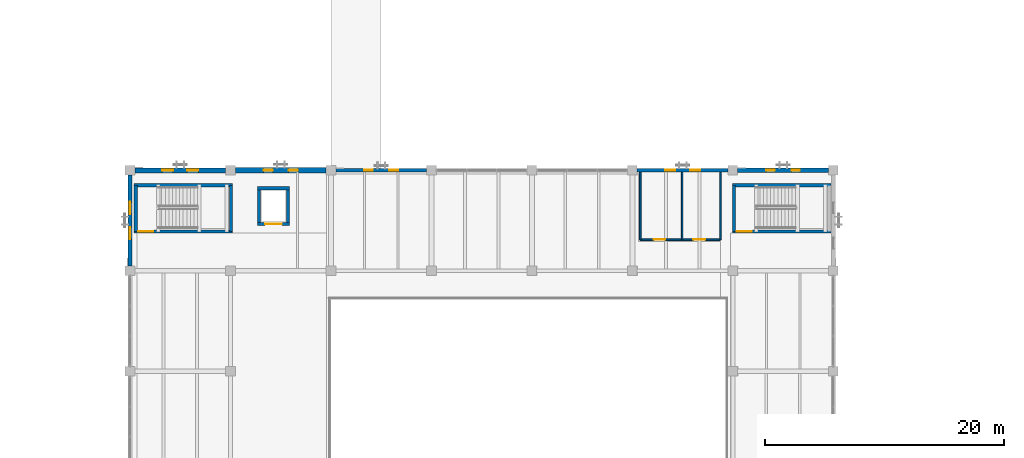
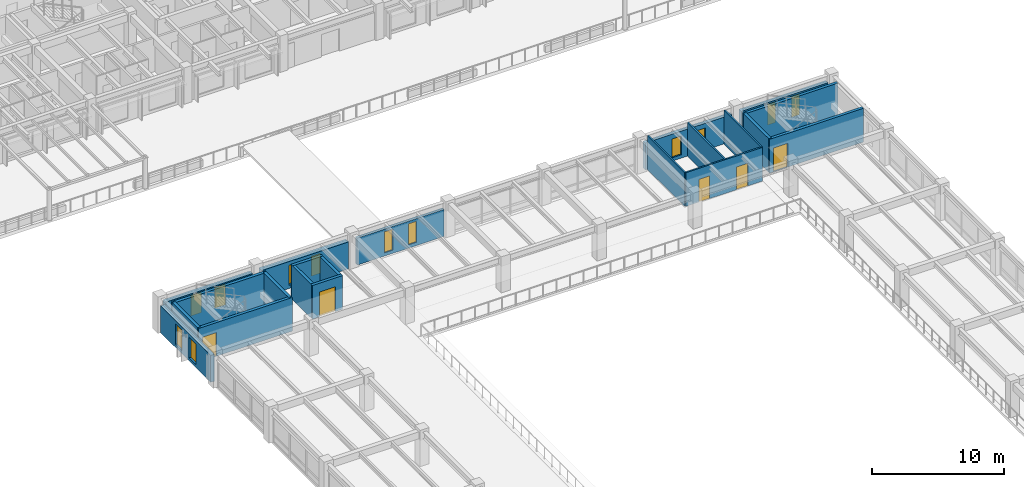
# One storey, part 84 of 111: 21 walls, 12 windows, 5 doors, 17 openings.
"""IFC4 building model written with IfcOpenShell, lengths in metres."""

from ifc_helpers import new_model, si_unit, direction, frame, frame_2d, origin, place, context, subcontext, project, spatial, rectangle, extrude, material, layer, layer_set, type_object, element, fill, save


model = new_model("IFC4")

# Units and contexts
model_context = context("Model", 3, precision=1e-05, world=origin(), true_north=direction((0.0, 1.0)))
body_context = subcontext(model_context, "Body", "Model", "MODEL_VIEW")
ifc_project = project(units=[si_unit("LENGTHUNIT", "METRE"), si_unit("AREAUNIT", "SQUARE_METRE"), si_unit("VOLUMEUNIT", "CUBIC_METRE"), si_unit("PLANEANGLEUNIT", "RADIAN"), si_unit("MASSUNIT", "GRAM", prefix="KILO")], contexts=[model_context])

# Site, building, storey
site_placement = place(None, origin())
site = spatial("IfcSite", under=ifc_project, at=site_placement, CompositionType="ELEMENT")
building_placement = place(site_placement, origin())
building = spatial("IfcBuilding", under=site, at=building_placement, Name="Cumbredor Promenade Congress Hotel", CompositionType="ELEMENT")
storey_placement = place(building_placement, frame((0.0, 0.0, 15.1201171875)))
storey = spatial("IfcBuildingStorey", under=building, at=storey_placement, Name="L04", CompositionType="ELEMENT", Elevation=15.1201171875)

# Wall, openings, windows
ifc_material_1 = material(Name="Concrete C40/50", Category="concrete")
ifc_layer_1 = layer(ifc_material_1, 0.260009765625, Name="Concrete C40/50", Category="concrete")
ifc_layer_set_1 = layer_set([ifc_layer_1], Name="Concrete C40/50")
wall_type_1 = type_object("IfcWallType", Name="WL-EXT-260", PredefinedType="SOLIDWALL", material=ifc_layer_set_1)
wall_1_placement = place(storey_placement, frame((25.60107421875, 67.199951171875, 0.0), z_axis=(0.0, 0.0, 1.0), x_axis=(1.0, 0.0, 0.0)))
wall_1 = element("IfcWall", 1, at=wall_1_placement, inside=storey, type_object=wall_type_1, Name="L04 Plenary Congress Hall North Envelope Wall 3", PredefinedType="SOLIDWALL", context=body_context, shape_type="SweptSolid", body=[
    extrude(rectangle(XDim=7.597900390625, YDim=0.260009765625, at=frame_2d((3.798828125, 0.0))), origin(), (0.0, 0.0, 1.0), 2.493896484375),
])
opening_1_placement = place(wall_1_placement, frame((2.388916015625, 0.0, 0.300048828125)))
opening_1 = element("IfcOpeningElement", 2, at=opening_1_placement, cuts=wall_1, Name="Opening WN-49", PredefinedType="OPENING", context=body_context, shape_type="SweptSolid", body=[
    extrude(rectangle(XDim=0.719970703125, YDim=1.949951171875, at=frame_2d((0.35986328125, 0.97509765625))), frame((0.0, 0.14013671875, 0.0), z_axis=(0.0, -1.0, 0.0), x_axis=(1.0, 0.0, 0.0)), (0.0, 0.0, 1.0), 0.280029296875),
])
opening_2_placement = place(wall_1_placement, frame((4.489013671875, 0.0, 0.300048828125)))
opening_2 = element("IfcOpeningElement", 3, at=opening_2_placement, cuts=wall_1, Name="Opening WN-49", PredefinedType="OPENING", context=body_context, shape_type="SweptSolid", body=[
    extrude(rectangle(XDim=0.719970703125, YDim=1.949951171875, at=frame_2d((0.35986328125, 0.97509765625))), frame((0.0, 0.14013671875, 0.0), z_axis=(0.0, -1.0, 0.0), x_axis=(1.0, 0.0, 0.0)), (0.0, 0.0, 1.0), 0.280029296875),
])
ifc_material_2 = material(Name="Thermally broken anodized aluminium and low-E glass", Category="aluminium")
window_type_1 = type_object("IfcWindowType", Name="Vertical Slot Window WN-49 720x1950", PartitioningType="SINGLE_PANEL", PredefinedType="WINDOW", material=ifc_material_2)
window_1_placement = place(opening_1_placement, origin())
window_1 = element("IfcWindow", 4, at=window_1_placement, inside=storey, type_object=window_type_1, Name="L04 Vertical Slot Window 0458", OverallHeight=1.949951171875, OverallWidth=0.719970703125, PartitioningType="SINGLE_PANEL", PredefinedType="WINDOW", context=body_context, shape_type="SweptSolid", body=[
    extrude(rectangle(XDim=0.719970703125, YDim=1.949951171875, at=frame_2d((0.35986328125, 0.97509765625))), frame((0.0, 0.030029296875, 0.0), z_axis=(0.0, -1.0, 0.0), x_axis=(1.0, 0.0, 0.0)), (0.0, 0.0, 1.0), 0.06005859375),
])
fill(opening_1, window_1)
window_2_placement = place(opening_2_placement, origin())
window_2 = element("IfcWindow", 5, at=window_2_placement, inside=storey, type_object=window_type_1, Name="L04 Vertical Slot Window 0459", OverallHeight=1.949951171875, OverallWidth=0.719970703125, PartitioningType="SINGLE_PANEL", PredefinedType="WINDOW", context=body_context, shape_type="SweptSolid", body=[
    extrude(rectangle(XDim=0.719970703125, YDim=1.949951171875, at=frame_2d((0.35986328125, 0.97509765625))), frame((0.0, 0.030029296875, 0.0), z_axis=(0.0, -1.0, 0.0), x_axis=(1.0, 0.0, 0.0)), (0.0, 0.0, 1.0), 0.06005859375),
])
fill(opening_2, window_2)

ifc_layer_2 = layer(ifc_material_1, 0.324951171875, Name="Concrete C40/50", Category="concrete")
ifc_layer_set_2 = layer_set([ifc_layer_2], Name="Concrete C40/50")
wall_type_2 = type_object("IfcWallType", Name="WL-EXT-325", PredefinedType="SOLIDWALL", material=ifc_layer_set_2)
wall_2_placement = place(storey_placement, frame((50.801025390625, 67.199951171875, 0.0), z_axis=(0.0, 0.0, 1.0), x_axis=(1.0, 0.0, 0.0)))
wall_2 = element("IfcWall", 6, at=wall_2_placement, inside=storey, type_object=wall_type_2, Name="L04 Plenary Congress Hall North Envelope Wall 6", PredefinedType="SOLIDWALL", context=body_context, shape_type="SweptSolid", body=[
    extrude(rectangle(XDim=7.597900390625, YDim=0.324951171875, at=frame_2d((3.798828125, 0.0))), origin(), (0.0, 0.0, 1.0), 2.493896484375),
])
opening_3_placement = place(wall_2_placement, frame((2.3291015625, 0.0, 0.300048828125)))
opening_3 = element("IfcOpeningElement", 7, at=opening_3_placement, cuts=wall_2, Name="Opening WN-62", PredefinedType="OPENING", context=body_context, shape_type="SweptSolid", body=[
    extrude(rectangle(XDim=0.840087890625, YDim=1.75, at=frame_2d((0.419921875, 0.875))), frame((0.0, 0.17236328125, 0.0), z_axis=(0.0, -1.0, 0.0), x_axis=(1.0, 0.0, 0.0)), (0.0, 0.0, 1.0), 0.344970703125),
])
opening_4_placement = place(wall_2_placement, frame((4.428955078125, 0.0, 0.300048828125)))
opening_4 = element("IfcOpeningElement", 8, at=opening_4_placement, cuts=wall_2, Name="Opening WN-62", PredefinedType="OPENING", context=body_context, shape_type="SweptSolid", body=[
    extrude(rectangle(XDim=0.840087890625, YDim=1.75, at=frame_2d((0.419921875, 0.875))), frame((0.0, 0.17236328125, 0.0), z_axis=(0.0, -1.0, 0.0), x_axis=(1.0, 0.0, 0.0)), (0.0, 0.0, 1.0), 0.344970703125),
])
window_type_2 = type_object("IfcWindowType", Name="Vertical Slot Window WN-62 840x1750", PartitioningType="SINGLE_PANEL", PredefinedType="WINDOW", material=ifc_material_2)
window_3_placement = place(opening_3_placement, origin())
window_3 = element("IfcWindow", 9, at=window_3_placement, inside=storey, type_object=window_type_2, Name="L04 Vertical Slot Window 0460", OverallHeight=1.75, OverallWidth=0.840087890625, PartitioningType="SINGLE_PANEL", PredefinedType="WINDOW", context=body_context, shape_type="SweptSolid", body=[
    extrude(rectangle(XDim=0.840087890625, YDim=1.75, at=frame_2d((0.419921875, 0.875))), frame((0.0, 0.030029296875, 0.0), z_axis=(0.0, -1.0, 0.0), x_axis=(1.0, 0.0, 0.0)), (0.0, 0.0, 1.0), 0.06005859375),
])
fill(opening_3, window_3)
window_4_placement = place(opening_4_placement, origin())
window_4 = element("IfcWindow", 10, at=window_4_placement, inside=storey, type_object=window_type_2, Name="L04 Vertical Slot Window 0461", OverallHeight=1.75, OverallWidth=0.840087890625, PartitioningType="SINGLE_PANEL", PredefinedType="WINDOW", context=body_context, shape_type="SweptSolid", body=[
    extrude(rectangle(XDim=0.840087890625, YDim=1.75, at=frame_2d((0.419921875, 0.875))), frame((0.0, 0.030029296875, 0.0), z_axis=(0.0, -1.0, 0.0), x_axis=(1.0, 0.0, 0.0)), (0.0, 0.0, 1.0), 0.06005859375),
])
fill(opening_4, window_4)

ifc_layer_3 = layer(ifc_material_1, 0.35009765625, Name="Concrete C40/50", Category="concrete")
ifc_layer_set_3 = layer_set([ifc_layer_3], Name="Concrete C40/50")
wall_type_3 = type_object("IfcWallType", Name="WL-EXT-350", PredefinedType="SOLIDWALL", material=ifc_layer_set_3)
wall_3_placement = place(storey_placement, frame((59.200927734375, 67.199951171875, 0.0), z_axis=(0.0, 0.0, 1.0), x_axis=(1.0, 0.0, 0.0)))
wall_3 = element("IfcWall", 11, at=wall_3_placement, inside=storey, type_object=wall_type_3, Name="L04 Plenary Congress Hall North Envelope Wall 7", PredefinedType="SOLIDWALL", context=body_context, shape_type="SweptSolid", body=[
    extrude(rectangle(XDim=7.59814453125, YDim=0.35009765625, at=frame_2d((3.799072265625, 0.0))), origin(), (0.0, 0.0, 1.0), 2.493896484375),
])
opening_5_placement = place(wall_3_placement, frame((2.39892578125, 0.0, 0.300048828125)))
opening_5 = element("IfcOpeningElement", 12, at=opening_5_placement, cuts=wall_3, Name="Opening WN-65", PredefinedType="OPENING", context=body_context, shape_type="SweptSolid", body=[
    extrude(rectangle(XDim=0.699951171875, YDim=1.89990234375, at=frame_2d((0.35009765625, 0.949951171875))), frame((0.0, 0.18505859375, 0.0), z_axis=(0.0, -1.0, 0.0), x_axis=(1.0, 0.0, 0.0)), (0.0, 0.0, 1.0), 0.3701171875),
])
opening_6_placement = place(wall_3_placement, frame((4.4990234375, 0.0, 0.300048828125)))
opening_6 = element("IfcOpeningElement", 13, at=opening_6_placement, cuts=wall_3, Name="Opening WN-65", PredefinedType="OPENING", context=body_context, shape_type="SweptSolid", body=[
    extrude(rectangle(XDim=0.699951171875, YDim=1.89990234375, at=frame_2d((0.35009765625, 0.949951171875))), frame((0.0, 0.18505859375, 0.0), z_axis=(0.0, -1.0, 0.0), x_axis=(1.0, 0.0, 0.0)), (0.0, 0.0, 1.0), 0.3701171875),
])
window_type_3 = type_object("IfcWindowType", Name="Vertical Slot Window WN-65 700x1900", PartitioningType="SINGLE_PANEL", PredefinedType="WINDOW", material=ifc_material_2)
window_5_placement = place(opening_5_placement, origin())
window_5 = element("IfcWindow", 14, at=window_5_placement, inside=storey, type_object=window_type_3, Name="L04 Vertical Slot Window 0462", OverallHeight=1.89990234375, OverallWidth=0.699951171875, PartitioningType="SINGLE_PANEL", PredefinedType="WINDOW", context=body_context, shape_type="SweptSolid", body=[
    extrude(rectangle(XDim=0.699951171875, YDim=1.89990234375, at=frame_2d((0.35009765625, 0.949951171875))), frame((0.0, 0.030029296875, 0.0), z_axis=(0.0, -1.0, 0.0), x_axis=(1.0, 0.0, 0.0)), (0.0, 0.0, 1.0), 0.06005859375),
])
fill(opening_5, window_5)
window_6_placement = place(opening_6_placement, origin())
window_6 = element("IfcWindow", 15, at=window_6_placement, inside=storey, type_object=window_type_3, Name="L04 Vertical Slot Window 0463", OverallHeight=1.89990234375, OverallWidth=0.699951171875, PartitioningType="SINGLE_PANEL", PredefinedType="WINDOW", context=body_context, shape_type="SweptSolid", body=[
    extrude(rectangle(XDim=0.699951171875, YDim=1.89990234375, at=frame_2d((0.35009765625, 0.949951171875))), frame((0.0, 0.030029296875, 0.0), z_axis=(0.0, -1.0, 0.0), x_axis=(1.0, 0.0, 0.0)), (0.0, 0.0, 1.0), 0.06005859375),
])
fill(opening_6, window_6)

wall_4_placement = place(storey_placement, frame((8.39990234375, 59.200927734375, 0.0), z_axis=(0.0, 0.0, 1.0), x_axis=(0.0, 1.0, 0.0)))
wall_4 = element("IfcWall", 16, at=wall_4_placement, inside=storey, type_object=wall_type_3, Name="L04 Plenary Congress Hall West Envelope Wall 7", PredefinedType="SOLIDWALL", context=body_context, shape_type="SweptSolid", body=[
    extrude(rectangle(XDim=7.59814453125, YDim=0.35009765625, at=frame_2d((3.799072265625, 0.0))), origin(), (0.0, 0.0, 1.0), 2.493896484375),
])
opening_7_placement = place(wall_4_placement, frame((2.239013671875, 0.0, 0.300048828125)))
opening_7 = element("IfcOpeningElement", 17, at=opening_7_placement, cuts=wall_4, Name="Opening WN-69", PredefinedType="OPENING", context=body_context, shape_type="SweptSolid", body=[
    extrude(rectangle(XDim=1.02001953125, YDim=1.89990234375, at=frame_2d((0.510009765625, 0.949951171875))), frame((0.0, 0.18505859375, 0.0), z_axis=(0.0, -1.0, 0.0), x_axis=(1.0, 0.0, 0.0)), (0.0, 0.0, 1.0), 0.3701171875),
])
opening_8_placement = place(wall_4_placement, frame((4.339111328125, 0.0, 0.300048828125)))
opening_8 = element("IfcOpeningElement", 18, at=opening_8_placement, cuts=wall_4, Name="Opening WN-69", PredefinedType="OPENING", context=body_context, shape_type="SweptSolid", body=[
    extrude(rectangle(XDim=1.02001953125, YDim=1.89990234375, at=frame_2d((0.510009765625, 0.949951171875))), frame((0.0, 0.18505859375, 0.0), z_axis=(0.0, -1.0, 0.0), x_axis=(1.0, 0.0, 0.0)), (0.0, 0.0, 1.0), 0.3701171875),
])
window_type_4 = type_object("IfcWindowType", Name="Vertical Slot Window WN-69 1020x1900", PartitioningType="SINGLE_PANEL", PredefinedType="WINDOW", material=ifc_material_2)
window_7_placement = place(opening_7_placement, origin())
window_7 = element("IfcWindow", 19, at=window_7_placement, inside=storey, type_object=window_type_4, Name="L04 Vertical Slot Window 0466", OverallHeight=1.89990234375, OverallWidth=1.02001953125, PartitioningType="SINGLE_PANEL", PredefinedType="WINDOW", context=body_context, shape_type="SweptSolid", body=[
    extrude(rectangle(XDim=1.02001953125, YDim=1.89990234375, at=frame_2d((0.510009765625, 0.949951171875))), frame((0.0, 0.030029296875, 0.0), z_axis=(0.0, -1.0, 0.0), x_axis=(1.0, 0.0, 0.0)), (0.0, 0.0, 1.0), 0.06005859375),
])
fill(opening_7, window_7)
window_8_placement = place(opening_8_placement, origin())
window_8 = element("IfcWindow", 20, at=window_8_placement, inside=storey, type_object=window_type_4, Name="L04 Vertical Slot Window 0467", OverallHeight=1.89990234375, OverallWidth=1.02001953125, PartitioningType="SINGLE_PANEL", PredefinedType="WINDOW", context=body_context, shape_type="SweptSolid", body=[
    extrude(rectangle(XDim=1.02001953125, YDim=1.89990234375, at=frame_2d((0.510009765625, 0.949951171875))), frame((0.0, 0.030029296875, 0.0), z_axis=(0.0, -1.0, 0.0), x_axis=(1.0, 0.0, 0.0)), (0.0, 0.0, 1.0), 0.06005859375),
])
fill(opening_8, window_8)

ifc_layer_4 = layer(ifc_material_1, 0.425048828125, Name="Concrete C40/50", Category="concrete")
ifc_layer_set_4 = layer_set([ifc_layer_4], Name="Concrete C40/50")
wall_type_4 = type_object("IfcWallType", Name="WL-EXT-425", PredefinedType="SOLIDWALL", material=ifc_layer_set_4)
wall_5_placement = place(storey_placement, frame((8.801025390625, 67.199951171875, 0.0), z_axis=(0.0, 0.0, 1.0), x_axis=(1.0, 0.0, 0.0)))
wall_5 = element("IfcWall", 21, at=wall_5_placement, inside=storey, type_object=wall_type_4, Name="L04 Plenary Congress Hall North Envelope Wall 1", PredefinedType="SOLIDWALL", context=body_context, shape_type="SweptSolid", body=[
    extrude(rectangle(XDim=7.597900390625, YDim=0.425048828125, at=frame_2d((3.798828125, 0.0))), origin(), (0.0, 0.0, 1.0), 2.493896484375),
])
opening_9_placement = place(wall_5_placement, frame((2.283935546875, 0.0, 0.300048828125)))
opening_9 = element("IfcOpeningElement", 22, at=opening_9_placement, cuts=wall_5, Name="Opening WN-68", PredefinedType="OPENING", context=body_context, shape_type="SweptSolid", body=[
    extrude(rectangle(XDim=0.929931640625, YDim=1.89990234375, at=frame_2d((0.46484375, 0.949951171875))), frame((0.0, 0.22265625, 0.0), z_axis=(0.0, -1.0, 0.0), x_axis=(1.0, 0.0, 0.0)), (0.0, 0.0, 1.0), 0.445068359375),
])
opening_10_placement = place(wall_5_placement, frame((4.384033203125, 0.0, 0.300048828125)))
opening_10 = element("IfcOpeningElement", 23, at=opening_10_placement, cuts=wall_5, Name="Opening WN-68", PredefinedType="OPENING", context=body_context, shape_type="SweptSolid", body=[
    extrude(rectangle(XDim=0.929931640625, YDim=1.89990234375, at=frame_2d((0.46484375, 0.949951171875))), frame((0.0, 0.22265625, 0.0), z_axis=(0.0, -1.0, 0.0), x_axis=(1.0, 0.0, 0.0)), (0.0, 0.0, 1.0), 0.445068359375),
])
window_type_5 = type_object("IfcWindowType", Name="Vertical Slot Window WN-68 930x1900", PartitioningType="SINGLE_PANEL", PredefinedType="WINDOW", material=ifc_material_2)
window_9_placement = place(opening_9_placement, origin())
window_9 = element("IfcWindow", 24, at=window_9_placement, inside=storey, type_object=window_type_5, Name="L04 Vertical Slot Window 0454", OverallHeight=1.89990234375, OverallWidth=0.929931640625, PartitioningType="SINGLE_PANEL", PredefinedType="WINDOW", context=body_context, shape_type="SweptSolid", body=[
    extrude(rectangle(XDim=0.929931640625, YDim=1.89990234375, at=frame_2d((0.46484375, 0.949951171875))), frame((0.0, 0.030029296875, 0.0), z_axis=(0.0, -1.0, 0.0), x_axis=(1.0, 0.0, 0.0)), (0.0, 0.0, 1.0), 0.06005859375),
])
fill(opening_9, window_9)
window_10_placement = place(opening_10_placement, origin())
window_10 = element("IfcWindow", 25, at=window_10_placement, inside=storey, type_object=window_type_5, Name="L04 Vertical Slot Window 0455", OverallHeight=1.89990234375, OverallWidth=0.929931640625, PartitioningType="SINGLE_PANEL", PredefinedType="WINDOW", context=body_context, shape_type="SweptSolid", body=[
    extrude(rectangle(XDim=0.929931640625, YDim=1.89990234375, at=frame_2d((0.46484375, 0.949951171875))), frame((0.0, 0.030029296875, 0.0), z_axis=(0.0, -1.0, 0.0), x_axis=(1.0, 0.0, 0.0)), (0.0, 0.0, 1.0), 0.06005859375),
])
fill(opening_10, window_10)

ifc_layer_5 = layer(ifc_material_1, 0.449951171875, Name="Concrete C40/50", Category="concrete")
ifc_layer_set_5 = layer_set([ifc_layer_5], Name="Concrete C40/50")
wall_type_5 = type_object("IfcWallType", Name="WL-EXT-450", PredefinedType="SOLIDWALL", material=ifc_layer_set_5)
wall_6_placement = place(storey_placement, frame((17.200927734375, 67.199951171875, 0.0), z_axis=(0.0, 0.0, 1.0), x_axis=(1.0, 0.0, 0.0)))
wall_6 = element("IfcWall", 26, at=wall_6_placement, inside=storey, type_object=wall_type_5, Name="L04 Plenary Congress Hall North Envelope Wall 2", PredefinedType="SOLIDWALL", context=body_context, shape_type="SweptSolid", body=[
    extrude(rectangle(XDim=7.59814453125, YDim=0.449951171875, at=frame_2d((3.799072265625, 0.0))), origin(), (0.0, 0.0, 1.0), 2.493896484375),
])
opening_11_placement = place(wall_6_placement, frame((2.35888671875, 0.0, 0.300048828125)))
opening_11 = element("IfcOpeningElement", 27, at=opening_11_placement, cuts=wall_6, Name="Opening WN-46", PredefinedType="OPENING", context=body_context, shape_type="SweptSolid", body=[
    extrude(rectangle(XDim=0.780029296875, YDim=1.85009765625, at=frame_2d((0.39013671875, 0.925048828125))), frame((0.0, 0.23486328125, 0.0), z_axis=(0.0, -1.0, 0.0), x_axis=(1.0, 0.0, 0.0)), (0.0, 0.0, 1.0), 0.469970703125),
])
opening_12_placement = place(wall_6_placement, frame((4.458984375, 0.0, 0.300048828125)))
opening_12 = element("IfcOpeningElement", 28, at=opening_12_placement, cuts=wall_6, Name="Opening WN-46", PredefinedType="OPENING", context=body_context, shape_type="SweptSolid", body=[
    extrude(rectangle(XDim=0.780029296875, YDim=1.85009765625, at=frame_2d((0.39013671875, 0.925048828125))), frame((0.0, 0.23486328125, 0.0), z_axis=(0.0, -1.0, 0.0), x_axis=(1.0, 0.0, 0.0)), (0.0, 0.0, 1.0), 0.469970703125),
])
window_type_6 = type_object("IfcWindowType", Name="Vertical Slot Window WN-46 780x1850", PartitioningType="SINGLE_PANEL", PredefinedType="WINDOW", material=ifc_material_2)
window_11_placement = place(opening_11_placement, origin())
window_11 = element("IfcWindow", 29, at=window_11_placement, inside=storey, type_object=window_type_6, Name="L04 Vertical Slot Window 0456", OverallHeight=1.85009765625, OverallWidth=0.780029296875, PartitioningType="SINGLE_PANEL", PredefinedType="WINDOW", context=body_context, shape_type="SweptSolid", body=[
    extrude(rectangle(XDim=0.780029296875, YDim=1.85009765625, at=frame_2d((0.39013671875, 0.925048828125))), frame((0.0, 0.030029296875, 0.0), z_axis=(0.0, -1.0, 0.0), x_axis=(1.0, 0.0, 0.0)), (0.0, 0.0, 1.0), 0.06005859375),
])
fill(opening_11, window_11)
window_12_placement = place(opening_12_placement, origin())
window_12 = element("IfcWindow", 30, at=window_12_placement, inside=storey, type_object=window_type_6, Name="L04 Vertical Slot Window 0457", OverallHeight=1.85009765625, OverallWidth=0.780029296875, PartitioningType="SINGLE_PANEL", PredefinedType="WINDOW", context=body_context, shape_type="SweptSolid", body=[
    extrude(rectangle(XDim=0.780029296875, YDim=1.85009765625, at=frame_2d((0.39013671875, 0.925048828125))), frame((0.0, 0.030029296875, 0.0), z_axis=(0.0, -1.0, 0.0), x_axis=(1.0, 0.0, 0.0)), (0.0, 0.0, 1.0), 0.06005859375),
])
fill(opening_12, window_12)

# Wall, openings, doors
ifc_material_3 = material(Name="Acoustic gypsum partition on steel studs", Category="steel")
ifc_layer_6 = layer(ifc_material_3, 0.139892578125, Name="Acoustic gypsum partition on steel studs", Category="steel")
ifc_layer_set_6 = layer_set([ifc_layer_6], Name="Acoustic gypsum partition on steel studs")
wall_type_6 = type_object("IfcWallType", Name="WL-PART-140", PredefinedType="PARTITIONING", material=ifc_layer_set_6)
wall_7_placement = place(storey_placement, frame((51.050048828125, 61.39990234375, 0.0), z_axis=(0.0, 0.0, 1.0), x_axis=(1.0, 0.0, 0.0)))
wall_7 = element("IfcWall", 31, at=wall_7_placement, inside=storey, type_object=wall_type_6, Name="L04 Interior Partition W-L04-V1-WC", PredefinedType="PARTITIONING", context=body_context, shape_type="SweptSolid", body=[
    extrude(rectangle(XDim=6.699951171875, YDim=0.139892578125, at=frame_2d((3.35009765625, 0.0))), origin(), (0.0, 0.0, 1.0), 3.119873046875),
])
opening_13_placement = place(wall_7_placement, frame((1.14990234375, 0.0, 0.0)))
opening_13 = element("IfcOpeningElement", 32, at=opening_13_placement, cuts=wall_7, Name="Opening ID-02", PredefinedType="OPENING", context=body_context, shape_type="SweptSolid", body=[
    extrude(rectangle(XDim=0.949951171875, YDim=2.10009765625, at=frame_2d((0.47509765625, 1.050048828125))), frame((0.0, 0.080078125, 0.0), z_axis=(0.0, -1.0, 0.0), x_axis=(1.0, 0.0, 0.0)), (0.0, 0.0, 1.0), 0.159912109375),
])
opening_14_placement = place(wall_7_placement, frame((4.449951171875, 0.0, 0.0)))
opening_14 = element("IfcOpeningElement", 33, at=opening_14_placement, cuts=wall_7, Name="Opening ID-03", PredefinedType="OPENING", context=body_context, shape_type="SweptSolid", body=[
    extrude(rectangle(XDim=1.0, YDim=2.10009765625, at=frame_2d((0.5, 1.050048828125))), frame((0.0, 0.080078125, 0.0), z_axis=(0.0, -1.0, 0.0), x_axis=(1.0, 0.0, 0.0)), (0.0, 0.0, 1.0), 0.159912109375),
])
ifc_material_4 = material(Name="Kiln-dried tropical hardwood", Category="wood")
door_type_1 = type_object("IfcDoorType", Name="DR-ACC-1000", OperationType="NOTDEFINED", PredefinedType="DOOR", material=ifc_material_4)
door_1_placement = place(opening_14_placement, origin())
door_1 = element("IfcDoor", 34, at=door_1_placement, inside=storey, type_object=door_type_1, Name="L04 Interior Door W-L04-V1-WC-02", OperationType="SINGLE_SWING_LEFT", OverallHeight=2.10009765625, OverallWidth=1.0, PredefinedType="DOOR", context=body_context, shape_type="SweptSolid", body=[
    extrude(rectangle(XDim=1.0, YDim=2.10009765625, at=frame_2d((0.5, 1.050048828125))), frame((0.0, 0.02490234375, 0.0), z_axis=(0.0, -1.0, 0.0), x_axis=(1.0, 0.0, 0.0)), (0.0, 0.0, 1.0), 0.050048828125),
])
fill(opening_14, door_1)
door_type_2 = type_object("IfcDoorType", Name="DR-INT-950", OperationType="NOTDEFINED", PredefinedType="DOOR", material=ifc_material_4)
door_2_placement = place(opening_13_placement, origin())
door_2 = element("IfcDoor", 35, at=door_2_placement, inside=storey, type_object=door_type_2, Name="L04 Interior Door W-L04-V1-WC-01", OperationType="SINGLE_SWING_RIGHT", OverallHeight=2.10009765625, OverallWidth=0.949951171875, PredefinedType="DOOR", context=body_context, shape_type="SweptSolid", body=[
    extrude(rectangle(XDim=0.949951171875, YDim=2.10009765625, at=frame_2d((0.47509765625, 1.050048828125))), frame((0.0, 0.02490234375, 0.0), z_axis=(0.0, -1.0, 0.0), x_axis=(1.0, 0.0, 0.0)), (0.0, 0.0, 1.0), 0.050048828125),
])
fill(opening_13, door_2)

# Walls
for number, where, z_axis, x_axis, name in (
    (36, (51.050048828125, 61.39990234375, 0.0), (0.0, 0.0, 1.0), (0.0, 1.0, 0.0), "L04 Interior Partition W-L04-V1-WC-W"),
    (37, (54.550048828125, 61.39990234375, 0.0), (0.0, 0.0, 1.0), (0.0, 1.0, 0.0), "L04 Interior Partition W-L04-V1-WC-M"),
    (38, (57.75, 61.39990234375, 0.0), (0.0, 0.0, 1.0), (0.0, 1.0, 0.0), "L04 Interior Partition W-L04-V1-WC-E"),
):
    element("IfcWall", number, at=place(storey_placement, frame(where, z_axis=z_axis, x_axis=x_axis)), inside=storey, type_object=wall_type_6, Name=name, PredefinedType="PARTITIONING", context=body_context, shape_type="SweptSolid", body=[
        extrude(rectangle(XDim=5.6376953125, YDim=0.139892578125, at=frame_2d((2.81884765625, 0.0))), origin(), (0.0, 0.0, 1.0), 3.119873046875),
    ])

# Wall, opening, door
ifc_layer_7 = layer(ifc_material_1, 0.2548828125, Name="Concrete C40/50", Category="concrete")
ifc_layer_set_7 = layer_set([ifc_layer_7], Name="Concrete C40/50")
wall_type_7 = type_object("IfcWallType", Name="WL-SHAFT-250", PredefinedType="SOLIDWALL", material=ifc_layer_set_7)
wall_8_placement = place(storey_placement, frame((8.75244140625, 62.10009765625, 0.0), z_axis=(0.0, 0.0, 1.0), x_axis=(1.0, 0.0, 0.0)))
wall_8 = element("IfcWall", 39, at=wall_8_placement, inside=storey, type_object=wall_type_7, Name="STAIR-ST-06-L04 Shaft Wall South", PredefinedType="SOLIDWALL", context=body_context, shape_type="SweptSolid", body=[
    extrude(rectangle(XDim=8.22509765625, YDim=0.2548828125, at=frame_2d((4.112548828125, 0.0))), origin(), (0.0, 0.0, 1.0), 3.119873046875),
])
opening_15_placement = place(wall_8_placement, frame((0.35009765625, 0.0, 0.0)))
opening_15 = element("IfcOpeningElement", 40, at=opening_15_placement, cuts=wall_8, Name="Opening SD-02", PredefinedType="OPENING", context=body_context, shape_type="SweptSolid", body=[
    extrude(rectangle(XDim=1.25, YDim=2.199951171875, at=frame_2d((0.625, 1.10009765625))), frame((0.0, 0.137451171875, 0.0), z_axis=(0.0, -1.0, 0.0), x_axis=(1.0, 0.0, 0.0)), (0.0, 0.0, 1.0), 0.27490234375),
])
ifc_material_5 = material(Name="Painted galvanized steel fire door", Category="steel")
door_type_3 = type_object("IfcDoorType", Name="DR-STAIR-FD90-1250", OperationType="NOTDEFINED", PredefinedType="DOOR", material=ifc_material_5)
door_3_placement = place(opening_15_placement, origin())
door_3 = element("IfcDoor", 41, at=door_3_placement, inside=storey, type_object=door_type_3, Name="L04 Protected Exit Stair ST-06 Door", OperationType="SINGLE_SWING_LEFT", OverallHeight=2.199951171875, OverallWidth=1.25, PredefinedType="DOOR", context=body_context, shape_type="SweptSolid", body=[
    extrude(rectangle(XDim=1.25, YDim=2.199951171875, at=frame_2d((0.625, 1.10009765625))), frame((0.0, 0.02490234375, 0.0), z_axis=(0.0, -1.0, 0.0), x_axis=(1.0, 0.0, 0.0)), (0.0, 0.0, 1.0), 0.050048828125),
])
fill(opening_15, door_3)

# Walls
wall_9_placement = place(storey_placement, frame((8.75244140625, 65.949951171875, 0.0), z_axis=(0.0, 0.0, 1.0), x_axis=(1.0, 0.0, 0.0)))
element("IfcWall", 42, at=wall_9_placement, inside=storey, type_object=wall_type_7, Name="STAIR-ST-06-L04 Shaft Wall North", PredefinedType="SOLIDWALL", context=body_context, shape_type="SweptSolid", body=[
    extrude(rectangle(XDim=8.22509765625, YDim=0.2548828125, at=frame_2d((4.112548828125, 0.0))), origin(), (0.0, 0.0, 1.0), 3.119873046875),
])
for number, where, z_axis, x_axis, name in (
    (43, (8.8798828125, 62.10009765625, 0.0), (0.0, 0.0, 1.0), (0.0, 1.0, 0.0), "STAIR-ST-06-L04 Shaft Wall West"),
    (44, (16.85009765625, 62.10009765625, 0.0), (0.0, 0.0, 1.0), (0.0, 1.0, 0.0), "STAIR-ST-06-L04 Shaft Wall East"),
):
    element("IfcWall", number, at=place(storey_placement, frame(where, z_axis=z_axis, x_axis=x_axis)), inside=storey, type_object=wall_type_7, Name=name, PredefinedType="SOLIDWALL", context=body_context, shape_type="SweptSolid", body=[
        extrude(rectangle(XDim=3.849853515625, YDim=0.2548828125, at=frame_2d((1.9248046875, 0.0))), origin(), (0.0, 0.0, 1.0), 3.119873046875),
    ])

# Wall, opening, door
wall_10_placement = place(storey_placement, frame((58.75244140625, 62.10009765625, 0.0), z_axis=(0.0, 0.0, 1.0), x_axis=(1.0, 0.0, 0.0)))
wall_10 = element("IfcWall", 45, at=wall_10_placement, inside=storey, type_object=wall_type_7, Name="STAIR-ST-07-L04 Shaft Wall South", PredefinedType="SOLIDWALL", context=body_context, shape_type="SweptSolid", body=[
    extrude(rectangle(XDim=8.22509765625, YDim=0.2548828125, at=frame_2d((4.112548828125, 0.0))), origin(), (0.0, 0.0, 1.0), 3.119873046875),
])
opening_16_placement = place(wall_10_placement, frame((0.35009765625, 0.0, 0.0)))
opening_16 = element("IfcOpeningElement", 46, at=opening_16_placement, cuts=wall_10, Name="Opening SD-02", PredefinedType="OPENING", context=body_context, shape_type="SweptSolid", body=[
    extrude(rectangle(XDim=1.25, YDim=2.199951171875, at=frame_2d((0.625, 1.10009765625))), frame((0.0, 0.137451171875, 0.0), z_axis=(0.0, -1.0, 0.0), x_axis=(1.0, 0.0, 0.0)), (0.0, 0.0, 1.0), 0.27490234375),
])
door_4_placement = place(opening_16_placement, origin())
door_4 = element("IfcDoor", 47, at=door_4_placement, inside=storey, type_object=door_type_3, Name="L04 Protected Exit Stair ST-07 Door", OperationType="SINGLE_SWING_LEFT", OverallHeight=2.199951171875, OverallWidth=1.25, PredefinedType="DOOR", context=body_context, shape_type="SweptSolid", body=[
    extrude(rectangle(XDim=1.25, YDim=2.199951171875, at=frame_2d((0.625, 1.10009765625))), frame((0.0, 0.02490234375, 0.0), z_axis=(0.0, -1.0, 0.0), x_axis=(1.0, 0.0, 0.0)), (0.0, 0.0, 1.0), 0.050048828125),
])
fill(opening_16, door_4)

# Walls
wall_11_placement = place(storey_placement, frame((58.75244140625, 65.949951171875, 0.0), z_axis=(0.0, 0.0, 1.0), x_axis=(1.0, 0.0, 0.0)))
element("IfcWall", 48, at=wall_11_placement, inside=storey, type_object=wall_type_7, Name="STAIR-ST-07-L04 Shaft Wall North", PredefinedType="SOLIDWALL", context=body_context, shape_type="SweptSolid", body=[
    extrude(rectangle(XDim=8.22509765625, YDim=0.2548828125, at=frame_2d((4.112548828125, 0.0))), origin(), (0.0, 0.0, 1.0), 3.119873046875),
])
wall_12_placement = place(storey_placement, frame((58.8798828125, 62.10009765625, 0.0), z_axis=(0.0, 0.0, 1.0), x_axis=(0.0, 1.0, 0.0)))
element("IfcWall", 49, at=wall_12_placement, inside=storey, type_object=wall_type_7, Name="STAIR-ST-07-L04 Shaft Wall West", PredefinedType="SOLIDWALL", context=body_context, shape_type="SweptSolid", body=[
    extrude(rectangle(XDim=3.849853515625, YDim=0.2548828125, at=frame_2d((1.9248046875, 0.0))), origin(), (0.0, 0.0, 1.0), 3.119873046875),
])

# Wall, opening, door
wall_13_placement = place(storey_placement, frame((19.072509765625, 62.699951171875, 0.0), z_axis=(0.0, 0.0, 1.0), x_axis=(1.0, 0.0, 0.0)))
wall_13 = element("IfcWall", 50, at=wall_13_placement, inside=storey, type_object=wall_type_7, Name="SHAFT-SV-01-L04 Shaft Wall South", PredefinedType="SOLIDWALL", context=body_context, shape_type="SweptSolid", body=[
    extrude(rectangle(XDim=2.655029296875, YDim=0.2548828125, at=frame_2d((1.32763671875, 0.0))), origin(), (0.0, 0.0, 1.0), 3.119873046875),
])
opening_17_placement = place(wall_13_placement, frame((0.62744140625, 0.0, 0.0)))
opening_17 = element("IfcOpeningElement", 51, at=opening_17_placement, cuts=wall_13, Name="Opening LD-03", PredefinedType="OPENING", context=body_context, shape_type="SweptSolid", body=[
    extrude(rectangle(XDim=1.39990234375, YDim=2.300048828125, at=frame_2d((0.699951171875, 1.14990234375))), frame((0.0, 0.137451171875, 0.0), z_axis=(0.0, -1.0, 0.0), x_axis=(1.0, 0.0, 0.0)), (0.0, 0.0, 1.0), 0.27490234375),
])
ifc_material_6 = material(Name="Brushed stainless steel", Category="steel")
door_type_4 = type_object("IfcDoorType", Name="Service Lift Sliding Door LD-03 1400x2300", OperationType="DOUBLE_DOOR_SLIDING", PredefinedType="DOOR", material=ifc_material_6)
door_5_placement = place(opening_17_placement, origin())
door_5 = element("IfcDoor", 52, at=door_5_placement, inside=storey, type_object=door_type_4, Name="L04 Plenary Stage Goods Lift SV-01 Sliding Landing Door", OperationType="DOUBLE_DOOR_SLIDING", OverallHeight=2.300048828125, OverallWidth=1.39990234375, PredefinedType="DOOR", context=body_context, shape_type="SweptSolid", body=[
    extrude(rectangle(XDim=1.39990234375, YDim=2.300048828125, at=frame_2d((0.699951171875, 1.14990234375))), frame((0.0, 0.02490234375, 0.0), z_axis=(0.0, -1.0, 0.0), x_axis=(1.0, 0.0, 0.0)), (0.0, 0.0, 1.0), 0.050048828125),
])
fill(opening_17, door_5)

# Walls
wall_14_placement = place(storey_placement, frame((19.072509765625, 65.699951171875, 0.0), z_axis=(0.0, 0.0, 1.0), x_axis=(1.0, 0.0, 0.0)))
element("IfcWall", 53, at=wall_14_placement, inside=storey, type_object=wall_type_7, Name="SHAFT-SV-01-L04 Shaft Wall North", PredefinedType="SOLIDWALL", context=body_context, shape_type="SweptSolid", body=[
    extrude(rectangle(XDim=2.655029296875, YDim=0.2548828125, at=frame_2d((1.32763671875, 0.0))), origin(), (0.0, 0.0, 1.0), 3.119873046875),
])
for number, where, z_axis, x_axis, name in (
    (54, (19.199951171875, 62.699951171875, 0.0), (0.0, 0.0, 1.0), (0.0, 1.0, 0.0), "SHAFT-SV-01-L04 Shaft Wall West"),
    (55, (21.60009765625, 62.699951171875, 0.0), (0.0, 0.0, 1.0), (0.0, 1.0, 0.0), "SHAFT-SV-01-L04 Shaft Wall East"),
):
    element("IfcWall", number, at=place(storey_placement, frame(where, z_axis=z_axis, x_axis=x_axis)), inside=storey, type_object=wall_type_7, Name=name, PredefinedType="SOLIDWALL", context=body_context, shape_type="SweptSolid", body=[
        extrude(rectangle(XDim=3.0, YDim=0.2548828125, at=frame_2d((1.5, 0.0))), origin(), (0.0, 0.0, 1.0), 3.119873046875),
    ])

save(model, "model.ifc")
